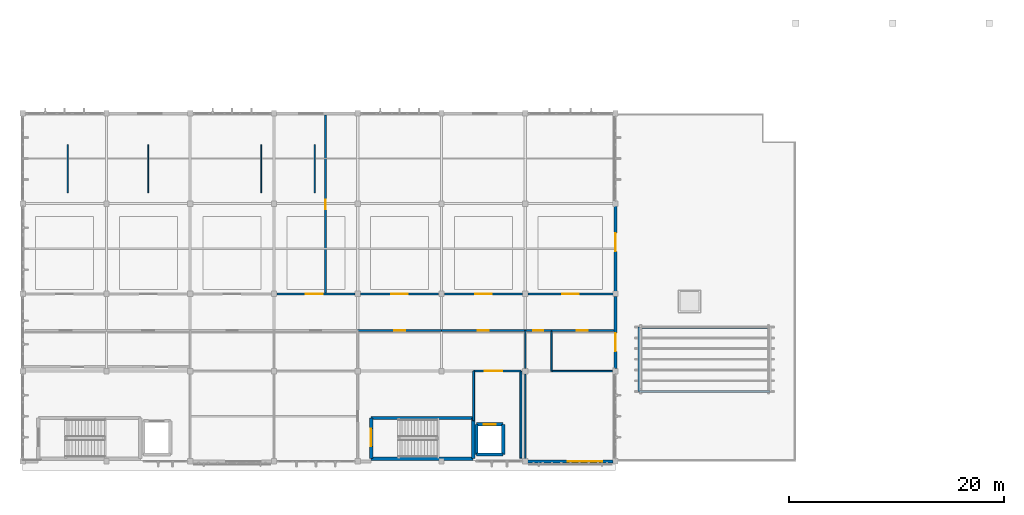
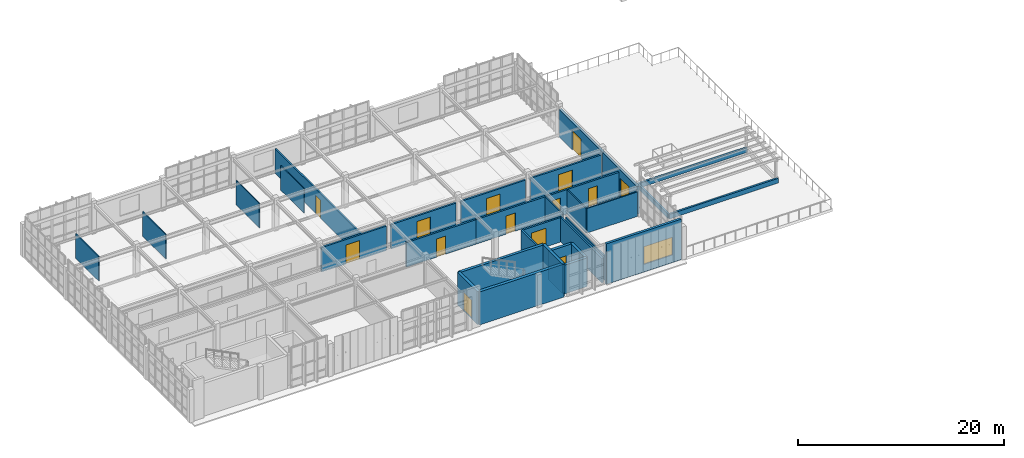
# One storey, part 13 of 20: 34 walls, 14 doors, 1 window, 15 openings.
"""IFC4 building model written with IfcOpenShell, lengths in metres."""

import ifcopenshell
import ifcopenshell.guid

model = None  # the IFC model being written
_history = None  # IfcOwnerHistory: only IFC2X3 demands one
_inside = {}  # id of a spatial element -> (the spatial element, [elements in it])
_under = {}  # id of a project, library or spatial element -> (it, [spatial elements below it])
_declared = {}  # id of a project -> (the project, [libraries it declares])
_typed = {}  # id of a type object -> (the type object, [elements of that type])
_made_of = {}  # id of a material, layer set ... -> (it, [elements and type objects made of it])


def new_model(schema):
    """Start an empty IFC model of exactly this schema.

    Asked for "IFC4X3", IfcOpenShell would pick the latest addendum, in which some entities
    have other attributes; the version numbers below select the first issue.
    IFC2X3 requires an IfcOwnerHistory on every rooted entity: one is made here for all.
    """
    global model, _history
    if schema == "IFC4X3":
        model = ifcopenshell.file(schema_version=(4, 3, 0, 0))
    else:
        model = ifcopenshell.file(schema=schema)
    _inside.clear()
    _under.clear()
    _declared.clear()
    _typed.clear()
    _made_of.clear()
    _history = None
    if model.schema == "IFC2X3":
        org = make("IfcOrganization", Name="unknown")
        user = make(
            "IfcPersonAndOrganization",
            ThePerson=make("IfcPerson", FamilyName="unknown"),
            TheOrganization=org,
        )
        app = make(
            "IfcApplication",
            ApplicationDeveloper=org,
            Version="unknown",
            ApplicationFullName="unknown",
            ApplicationIdentifier="unknown",
        )
        _history = make(
            "IfcOwnerHistory",
            OwningUser=user,
            OwningApplication=app,
            ChangeAction="ADDED",
            CreationDate=0,
        )
    return model


def make(cls, **values):
    """One entity of the class cls with the attributes given. An attribute that is None is left unset."""
    return model.create_entity(
        cls, **{name: value for name, value in values.items() if value is not None}
    )


def rooted(cls, **values):
    """An entity with a GlobalId (a new one), such as an element, a storey or a relation."""
    return make(cls, GlobalId=ifcopenshell.guid.new(), OwnerHistory=_history, **values)


def si_unit(unit_type, name, prefix=None):
    """IfcSIUnit, for example si_unit("LENGTHUNIT", "METRE", prefix="MILLI")."""
    return make("IfcSIUnit", UnitType=unit_type, Prefix=prefix, Name=name)


def assignment(units):
    """IfcUnitAssignment: the units of a project."""
    return None if units is None else make("IfcUnitAssignment", Units=units)


def point(xyz):
    """IfcCartesianPoint."""
    return None if xyz is None else make("IfcCartesianPoint", Coordinates=xyz)


def direction(xyz):
    """IfcDirection."""
    return None if xyz is None else make("IfcDirection", DirectionRatios=xyz)


def frame(location, z_axis=None, x_axis=None):
    """IfcAxis2Placement3D, a coordinate frame: its origin and axes. An axis left out is left unset."""
    return make(
        "IfcAxis2Placement3D",
        Location=point(location),
        Axis=direction(z_axis),
        RefDirection=direction(x_axis),
    )


def frame_2d(location, x_axis=None):
    """IfcAxis2Placement2D, a coordinate frame in the plane: its origin and x axis."""
    return make(
        "IfcAxis2Placement2D", Location=point(location), RefDirection=direction(x_axis)
    )


def origin():
    """The frame at (0, 0, 0) with its axes left unset."""
    return frame((0.0, 0.0, 0.0))


def place(relative_to, where):
    """IfcLocalPlacement: puts the frame where relative to a parent placement (None: the world)."""
    return make(
        "IfcLocalPlacement", PlacementRelTo=relative_to, RelativePlacement=where
    )


def context(
    kind, dimensions, precision=None, world=None, true_north=None, identifier=None
):
    """IfcGeometricRepresentationContext, for example the 3D "Model" context."""
    return make(
        "IfcGeometricRepresentationContext",
        ContextIdentifier=identifier,
        ContextType=kind,
        CoordinateSpaceDimension=dimensions,
        Precision=precision,
        WorldCoordinateSystem=world,
        TrueNorth=true_north,
    )


def subcontext(parent, identifier, kind, view, scale=None):
    """IfcGeometricRepresentationSubContext, for example "Body" below "Model"."""
    return make(
        "IfcGeometricRepresentationSubContext",
        ContextIdentifier=identifier,
        ContextType=kind,
        ParentContext=parent,
        TargetScale=scale,
        TargetView=view,
    )


def project(units=None, contexts=None):
    """IfcProject with its units and contexts."""
    return rooted(
        "IfcProject",
        Name="project",
        RepresentationContexts=contexts,
        UnitsInContext=assignment(units),
    )


def spatial(cls, under=None, at=None, **own):
    """A site, building, storey or space (cls), placed at a placement, below another one or the project."""
    s = rooted(cls, ObjectPlacement=at, **own)
    if under is not None:
        _under.setdefault(under.id(), (under, []))[1].append(s)
    return s


def profile(cls, at=None, kind="AREA", **sizes):
    """A parametric profile (cls). Its sizes go by their IFC names, for example OverallWidth=200.0."""
    return make(cls, ProfileType=kind, Position=at, **sizes)


def rectangle(**sizes):
    """IfcRectangleProfileDef."""
    return profile("IfcRectangleProfileDef", **sizes)


def extrude(swept, where, along, depth):
    """IfcExtrudedAreaSolid: the profile swept, set in the frame where, extruded along a direction by depth."""
    return make(
        "IfcExtrudedAreaSolid",
        SweptArea=swept,
        Position=where,
        ExtrudedDirection=direction(along),
        Depth=depth,
    )


def shape(context_of_items, identifier, shape_type, items):
    """IfcShapeRepresentation: the items that make up one representation, for example the "Body"."""
    return make(
        "IfcShapeRepresentation",
        ContextOfItems=context_of_items,
        RepresentationIdentifier=identifier,
        RepresentationType=shape_type,
        Items=items,
    )


def material(Name=None, Category=None):
    """IfcMaterial."""
    return make("IfcMaterial", Name=Name, Category=Category)


def layer(
    of_material, thickness, ventilated=None, Name=None, Category=None, Priority=None
):
    """IfcMaterialLayer: one layer of a wall or slab, of a material (None: an air gap)."""
    return make(
        "IfcMaterialLayer",
        Material=of_material,
        LayerThickness=thickness,
        IsVentilated=ventilated,
        Name=Name,
        Category=Category,
        Priority=Priority,
    )


def layer_set(layers, Name=None):
    """IfcMaterialLayerSet."""
    return make("IfcMaterialLayerSet", MaterialLayers=layers, LayerSetName=Name)


def made_of(thing, what):
    """Note that an element or type object is made of a material, layer set ...; save() writes the relation."""
    if what is not None:
        _made_of.setdefault(what.id(), (what, []))[1].append(thing)
    return thing


def type_object(cls, material=None, **own):
    """A type object (cls), such as IfcWallType, which elements share."""
    return made_of(rooted(cls, **own), material)


def element(
    cls,
    number,
    at=None,
    inside=None,
    cuts=None,
    type_object=None,
    material=None,
    context=None,
    identifier="Body",
    shape_type=None,
    held_by="IfcProductDefinitionShape",
    body=None,
    shapes=None,
    **own,
):
    """One element of the class cls, such as IfcWall. Its Tag is "e" and its number.

    at: its placement. inside: the storey or other place that contains it. cuts: it is an
    opening in that element (IfcRelVoidsElement). A single representation is given by context,
    identifier, shape_type and body (its items); several are given by shapes. held_by: the class
    of the entity that holds the representations. save() writes the other relations.
    """
    e = rooted(cls, Tag="e%d" % number, ObjectPlacement=at, **own)
    if body is not None:
        shapes = [shape(context, identifier, shape_type, body)]
    if shapes is not None:
        e.Representation = make(held_by, Representations=shapes)
    if inside is not None:
        _inside.setdefault(inside.id(), (inside, []))[1].append(e)
    if cuts is not None:
        rooted(
            "IfcRelVoidsElement", RelatingBuildingElement=cuts, RelatedOpeningElement=e
        )
    if type_object is not None:
        _typed.setdefault(type_object.id(), (type_object, []))[1].append(e)
    return made_of(e, material)


def fill(opening, filler):
    """IfcRelFillsElement: the door or window that sits in an opening."""
    return rooted(
        "IfcRelFillsElement",
        RelatingOpeningElement=opening,
        RelatedBuildingElement=filler,
    )


def aggregate(whole, parts):
    """IfcRelAggregates: a whole, such as a stair, and the parts it consists of."""
    return rooted("IfcRelAggregates", RelatingObject=whole, RelatedObjects=parts)


def save(model, path):
    """Write the relations noted so far, then the file.

    IfcRelAggregates (storeys below a building ...), IfcRelContainedInSpatialStructure (elements
    in a storey), IfcRelDefinesByType, IfcRelAssociatesMaterial and IfcRelDeclares: one each for
    every whole, place, type object, material and project.
    """
    for whole, parts in _under.values():
        aggregate(whole, parts)
    for where, things in _inside.values():
        rooted(
            "IfcRelContainedInSpatialStructure",
            RelatedElements=things,
            RelatingStructure=where,
        )
    for kind, things in _typed.values():
        rooted("IfcRelDefinesByType", RelatedObjects=things, RelatingType=kind)
    for what, things in _made_of.values():
        rooted("IfcRelAssociatesMaterial", RelatedObjects=things, RelatingMaterial=what)
    for by, libraries in _declared.values():
        rooted("IfcRelDeclares", RelatingContext=by, RelatedDefinitions=libraries)
    model.write(path)


model = new_model("IFC4")

# Units and contexts
model_context = context("Model", 3, precision=1e-05, world=origin(), true_north=direction((0.0, 1.0)))
body_context = subcontext(model_context, "Body", "Model", "MODEL_VIEW")
ifc_project = project(units=[si_unit("LENGTHUNIT", "METRE"), si_unit("AREAUNIT", "SQUARE_METRE"), si_unit("VOLUMEUNIT", "CUBIC_METRE"), si_unit("PLANEANGLEUNIT", "RADIAN"), si_unit("MASSUNIT", "GRAM", prefix="KILO")], contexts=[model_context])

# Site, building, storey
site_placement = place(None, origin())
site = spatial("IfcSite", under=ifc_project, at=site_placement, CompositionType="ELEMENT")
building_placement = place(site_placement, origin())
building = spatial("IfcBuilding", under=site, at=building_placement, Name="Tizgana Railside Sports Hall", CompositionType="ELEMENT")
storey_placement = place(building_placement, frame((0.0, 0.0, 19.800048828125)))
storey = spatial("IfcBuildingStorey", under=building, at=storey_placement, Name="L04", CompositionType="ELEMENT", Elevation=19.800048828125)

# Wall
ifc_material_1 = material(Name="Concrete C40/50", Category="concrete")
ifc_layer_1 = layer(ifc_material_1, 0.300048828125, Name="Concrete C40/50")
ifc_layer_set_1 = layer_set([ifc_layer_1], Name="Concrete C40/50")
wall_type_1 = type_object("IfcWallType", Name="Core Shear Wall 300", PredefinedType="SHEAR", material=ifc_layer_set_1)
wall_1_placement = place(storey_placement, frame((40.25, 4.050048828125, 0.0), z_axis=(0.0, 0.0, 1.0), x_axis=(1.0, 0.0, 0.0)))
element("IfcWall", 1, at=wall_1_placement, inside=storey, type_object=wall_type_1, Name="L04 C2 Shaft Wall N", PredefinedType="SHEAR", context=body_context, shape_type="SweptSolid", body=[
    extrude(rectangle(XDim=9.5, YDim=0.300048828125, at=frame_2d((4.75, 0.0))), origin(), (0.0, 0.0, 1.0), 3.89990234375),
])

# Wall, opening, door
wall_2_placement = place(storey_placement, frame((40.25, 0.25, 0.0), z_axis=(0.0, 0.0, 1.0), x_axis=(0.0, 1.0, 0.0)))
wall_2 = element("IfcWall", 2, at=wall_2_placement, inside=storey, type_object=wall_type_1, Name="L04 C2 Shaft Wall W", PredefinedType="SHEAR", context=body_context, shape_type="SweptSolid", body=[
    extrude(rectangle(XDim=3.800048828125, YDim=0.300048828125, at=frame_2d((1.89990234375, 0.0))), origin(), (0.0, 0.0, 1.0), 3.89990234375),
])
opening_1_placement = place(wall_2_placement, frame((1.14990234375, 0.0, 0.0)))
opening_1 = element("IfcOpeningElement", 3, at=opening_1_placement, cuts=wall_2, Name="Opening D-0055", PredefinedType="OPENING", context=body_context, shape_type="SweptSolid", body=[
    extrude(rectangle(XDim=1.64990234375, YDim=2.199951171875, at=frame_2d((0.824951171875, 1.10009765625))), frame((0.0, 0.159912109375, 0.0), z_axis=(0.0, -1.0, 0.0), x_axis=(1.0, 0.0, 0.0)), (0.0, 0.0, 1.0), 0.320068359375),
])
ifc_material_2 = material(Name="Timber fire leaf", Category="wood")
door_type_1 = type_object("IfcDoorType", Name="Stair Core Double Fire Door 1650x2200", OperationType="NOTDEFINED", PredefinedType="DOOR", material=ifc_material_2)
door_1_placement = place(opening_1_placement, origin())
door_1 = element("IfcDoor", 4, at=door_1_placement, inside=storey, type_object=door_type_1, Name="L04 Door D-0055", OperationType="DOUBLE_DOOR_SINGLE_SWING", OverallHeight=2.199951171875, OverallWidth=1.64990234375, PredefinedType="DOOR", context=body_context, shape_type="SweptSolid", body=[
    extrude(rectangle(XDim=1.64990234375, YDim=2.199951171875, at=frame_2d((0.824951171875, 1.10009765625))), frame((0.0, 0.02490234375, 0.0), z_axis=(0.0, -1.0, 0.0), x_axis=(1.0, 0.0, 0.0)), (0.0, 0.0, 1.0), 0.050048828125),
])
fill(opening_1, door_1)

# Walls
wall_3_placement = place(storey_placement, frame((49.75, 0.25, 0.0), z_axis=(0.0, 0.0, 1.0), x_axis=(0.0, 1.0, 0.0)))
element("IfcWall", 5, at=wall_3_placement, inside=storey, type_object=wall_type_1, Name="L04 C2 Shaft Wall E", PredefinedType="SHEAR", context=body_context, shape_type="SweptSolid", body=[
    extrude(rectangle(XDim=3.800048828125, YDim=0.300048828125, at=frame_2d((1.89990234375, 0.0))), origin(), (0.0, 0.0, 1.0), 3.89990234375),
])
wall_4_placement = place(storey_placement, frame((50.050048828125, 0.64990234375, 0.0), z_axis=(0.0, 0.0, 1.0), x_axis=(1.0, 0.0, 0.0)))
element("IfcWall", 6, at=wall_4_placement, inside=storey, type_object=wall_type_1, Name="L04 LP-01 Shaft Wall S", PredefinedType="SHEAR", context=body_context, shape_type="SweptSolid", body=[
    extrude(rectangle(XDim=2.5, YDim=0.300048828125, at=frame_2d((1.25, 0.0))), origin(), (0.0, 0.0, 1.0), 3.39990234375),
])

# Wall, opening, door
wall_5_placement = place(storey_placement, frame((50.050048828125, 3.449951171875, 0.0), z_axis=(0.0, 0.0, 1.0), x_axis=(1.0, 0.0, 0.0)))
wall_5 = element("IfcWall", 7, at=wall_5_placement, inside=storey, type_object=wall_type_1, Name="L04 LP-01 Shaft Wall N", PredefinedType="SHEAR", context=body_context, shape_type="SweptSolid", body=[
    extrude(rectangle(XDim=2.5, YDim=0.300048828125, at=frame_2d((1.25, 0.0))), origin(), (0.0, 0.0, 1.0), 3.39990234375),
])
opening_2_placement = place(wall_5_placement, frame((0.675048828125, 0.0, 0.0)))
opening_2 = element("IfcOpeningElement", 8, at=opening_2_placement, cuts=wall_5, Name="Opening D-0061", PredefinedType="OPENING", context=body_context, shape_type="SweptSolid", body=[
    extrude(rectangle(XDim=1.14990234375, YDim=2.199951171875, at=frame_2d((0.574951171875, 1.10009765625))), frame((0.0, 0.159912109375, 0.0), z_axis=(0.0, -1.0, 0.0), x_axis=(1.0, 0.0, 0.0)), (0.0, 0.0, 1.0), 0.320068359375),
])
ifc_material_3 = material(Name="Brushed stainless steel", Category="steel")
door_type_2 = type_object("IfcDoorType", Name="Passenger Lift Sliding Door 1150x2200", OperationType="NOTDEFINED", PredefinedType="DOOR", material=ifc_material_3)
door_2_placement = place(opening_2_placement, origin())
door_2 = element("IfcDoor", 9, at=door_2_placement, inside=storey, type_object=door_type_2, Name="L04 Door D-0061", OperationType="DOUBLE_DOOR_SLIDING", OverallHeight=2.199951171875, OverallWidth=1.14990234375, PredefinedType="DOOR", context=body_context, shape_type="SweptSolid", body=[
    extrude(rectangle(XDim=1.14990234375, YDim=2.199951171875, at=frame_2d((0.574951171875, 1.10009765625))), frame((0.0, 0.02490234375, 0.0), z_axis=(0.0, -1.0, 0.0), x_axis=(1.0, 0.0, 0.0)), (0.0, 0.0, 1.0), 0.050048828125),
])
fill(opening_2, door_2)

# Walls
for number, where, z_axis, x_axis, name in (
    (10, (50.050048828125, 0.64990234375, 0.0), (0.0, 0.0, 1.0), (0.0, 1.0, 0.0), "L04 LP-01 Shaft Wall W"),
    (11, (52.550048828125, 0.64990234375, 0.0), (0.0, 0.0, 1.0), (0.0, 1.0, 0.0), "L04 LP-01 Shaft Wall E"),
):
    element("IfcWall", number, at=place(storey_placement, frame(where, z_axis=z_axis, x_axis=x_axis)), inside=storey, type_object=wall_type_1, Name=name, PredefinedType="SHEAR", context=body_context, shape_type="SweptSolid", body=[
        extrude(rectangle(XDim=2.800048828125, YDim=0.300048828125, at=frame_2d((1.39990234375, 0.0))), origin(), (0.0, 0.0, 1.0), 3.39990234375),
    ])

# Wall, opening, door
ifc_material_4 = material(Name="Masonry blockwork", Category="masonry")
ifc_layer_2 = layer(ifc_material_4, 0.199951171875, Name="Masonry blockwork")
ifc_layer_set_2 = layer_set([ifc_layer_2], Name="Masonry blockwork")
wall_type_2 = type_object("IfcWallType", Name="Corridor Compartment Partition 200", PredefinedType="STANDARD", material=ifc_layer_set_2)
wall_6_placement = place(storey_placement, frame((31.4599609375, 15.60009765625, 0.0), z_axis=(0.0, 0.0, 1.0), x_axis=(1.0, 0.0, 0.0)))
wall_6 = element("IfcWall", 12, at=wall_6_placement, inside=storey, type_object=wall_type_2, Name="L04 Partition PWAL-0202", PredefinedType="STANDARD", context=body_context, shape_type="SweptSolid", body=[
    extrude(rectangle(XDim=7.280029296875, YDim=0.199951171875, at=frame_2d((3.64013671875, 0.0))), origin(), (0.0, 0.0, 1.0), 2.89990234375),
])
opening_3_placement = place(wall_6_placement, frame((2.715087890625, 0.0, 0.0)))
opening_3 = element("IfcOpeningElement", 13, at=opening_3_placement, cuts=wall_6, Name="Opening D-0217", PredefinedType="OPENING", context=body_context, shape_type="SweptSolid", body=[
    extrude(rectangle(XDim=1.550048828125, YDim=2.25, at=frame_2d((0.77490234375, 1.125))), frame((0.0, 0.10986328125, 0.0), z_axis=(0.0, -1.0, 0.0), x_axis=(1.0, 0.0, 0.0)), (0.0, 0.0, 1.0), 0.219970703125),
])
ifc_material_5 = material(Name="Acoustic perforated timber", Category="wood")
door_type_3 = type_object("IfcDoorType", Name="Studio Acoustic Double Door 1550x2250", OperationType="NOTDEFINED", PredefinedType="DOOR", material=ifc_material_5)
door_3_placement = place(opening_3_placement, origin())
door_3 = element("IfcDoor", 14, at=door_3_placement, inside=storey, type_object=door_type_3, Name="L04 Door D-0217", OperationType="DOUBLE_DOOR_SINGLE_SWING", OverallHeight=2.25, OverallWidth=1.550048828125, PredefinedType="DOOR", context=body_context, shape_type="SweptSolid", body=[
    extrude(rectangle(XDim=1.550048828125, YDim=2.25, at=frame_2d((0.77490234375, 1.125))), frame((0.0, 0.02490234375, 0.0), z_axis=(0.0, -1.0, 0.0), x_axis=(1.0, 0.0, 0.0)), (0.0, 0.0, 1.0), 0.050048828125),
])
fill(opening_3, door_3)

wall_7_placement = place(storey_placement, frame((39.260009765625, 15.60009765625, 0.0), z_axis=(0.0, 0.0, 1.0), x_axis=(1.0, 0.0, 0.0)))
wall_7 = element("IfcWall", 15, at=wall_7_placement, inside=storey, type_object=wall_type_2, Name="L04 Partition PWAL-0204", PredefinedType="STANDARD", context=body_context, shape_type="SweptSolid", body=[
    extrude(rectangle(XDim=7.280029296875, YDim=0.199951171875, at=frame_2d((3.64013671875, 0.0))), origin(), (0.0, 0.0, 1.0), 2.89990234375),
])
opening_4_placement = place(wall_7_placement, frame((2.864990234375, 0.0, 0.0)))
opening_4 = element("IfcOpeningElement", 16, at=opening_4_placement, cuts=wall_7, Name="Opening D-0219", PredefinedType="OPENING", context=body_context, shape_type="SweptSolid", body=[
    extrude(rectangle(XDim=1.550048828125, YDim=2.25, at=frame_2d((0.77490234375, 1.125))), frame((0.0, 0.10986328125, 0.0), z_axis=(0.0, -1.0, 0.0), x_axis=(1.0, 0.0, 0.0)), (0.0, 0.0, 1.0), 0.219970703125),
])
door_4_placement = place(opening_4_placement, origin())
door_4 = element("IfcDoor", 17, at=door_4_placement, inside=storey, type_object=door_type_3, Name="L04 Door D-0219", OperationType="DOUBLE_DOOR_SINGLE_SWING", OverallHeight=2.25, OverallWidth=1.550048828125, PredefinedType="DOOR", context=body_context, shape_type="SweptSolid", body=[
    extrude(rectangle(XDim=1.550048828125, YDim=2.25, at=frame_2d((0.77490234375, 1.125))), frame((0.0, 0.02490234375, 0.0), z_axis=(0.0, -1.0, 0.0), x_axis=(1.0, 0.0, 0.0)), (0.0, 0.0, 1.0), 0.050048828125),
])
fill(opening_4, door_4)

wall_8_placement = place(storey_placement, frame((39.0, 12.199951171875, 0.0), z_axis=(0.0, 0.0, 1.0), x_axis=(1.0, 0.0, 0.0)))
wall_8 = element("IfcWall", 18, at=wall_8_placement, inside=storey, type_object=wall_type_2, Name="L04 Partition PWAL-0205", PredefinedType="STANDARD", context=body_context, shape_type="SweptSolid", body=[
    extrude(rectangle(XDim=7.800048828125, YDim=0.199951171875, at=frame_2d((3.89990234375, 0.0))), origin(), (0.0, 0.0, 1.0), 2.89990234375),
])
opening_5_placement = place(wall_8_placement, frame((3.389892578125, 0.0, 0.0)))
opening_5 = element("IfcOpeningElement", 19, at=opening_5_placement, cuts=wall_8, Name="Opening D-0220", PredefinedType="OPENING", context=body_context, shape_type="SweptSolid", body=[
    extrude(rectangle(XDim=1.02001953125, YDim=2.14990234375, at=frame_2d((0.510009765625, 1.074951171875))), frame((0.0, 0.10986328125, 0.0), z_axis=(0.0, -1.0, 0.0), x_axis=(1.0, 0.0, 0.0)), (0.0, 0.0, 1.0), 0.219970703125),
])
ifc_material_6 = material(Name="Solid beech timber", Category="wood")
door_type_4 = type_object("IfcDoorType", Name="Accessible Changing & WC Door 1020x2150", OperationType="NOTDEFINED", PredefinedType="DOOR", material=ifc_material_6)
door_5_placement = place(opening_5_placement, origin())
door_5 = element("IfcDoor", 20, at=door_5_placement, inside=storey, type_object=door_type_4, Name="L04 Door D-0220", OperationType="SINGLE_SWING_LEFT", OverallHeight=2.14990234375, OverallWidth=1.02001953125, PredefinedType="DOOR", context=body_context, shape_type="SweptSolid", body=[
    extrude(rectangle(XDim=1.02001953125, YDim=2.14990234375, at=frame_2d((0.510009765625, 1.074951171875))), frame((0.0, 0.02490234375, 0.0), z_axis=(0.0, -1.0, 0.0), x_axis=(1.0, 0.0, 0.0)), (0.0, 0.0, 1.0), 0.050048828125),
])
fill(opening_5, door_5)

wall_9_placement = place(storey_placement, frame((47.06005859375, 15.60009765625, 0.0), z_axis=(0.0, 0.0, 1.0), x_axis=(1.0, 0.0, 0.0)))
wall_9 = element("IfcWall", 21, at=wall_9_placement, inside=storey, type_object=wall_type_2, Name="L04 Partition PWAL-0206", PredefinedType="STANDARD", context=body_context, shape_type="SweptSolid", body=[
    extrude(rectangle(XDim=7.280029296875, YDim=0.199951171875, at=frame_2d((3.64013671875, 0.0))), origin(), (0.0, 0.0, 1.0), 2.89990234375),
])
opening_6_placement = place(wall_9_placement, frame((2.864990234375, 0.0, 0.0)))
opening_6 = element("IfcOpeningElement", 22, at=opening_6_placement, cuts=wall_9, Name="Opening D-0221", PredefinedType="OPENING", context=body_context, shape_type="SweptSolid", body=[
    extrude(rectangle(XDim=1.550048828125, YDim=2.25, at=frame_2d((0.77490234375, 1.125))), frame((0.0, 0.10986328125, 0.0), z_axis=(0.0, -1.0, 0.0), x_axis=(1.0, 0.0, 0.0)), (0.0, 0.0, 1.0), 0.219970703125),
])
door_6_placement = place(opening_6_placement, origin())
door_6 = element("IfcDoor", 23, at=door_6_placement, inside=storey, type_object=door_type_3, Name="L04 Door D-0221", OperationType="DOUBLE_DOOR_SINGLE_SWING", OverallHeight=2.25, OverallWidth=1.550048828125, PredefinedType="DOOR", context=body_context, shape_type="SweptSolid", body=[
    extrude(rectangle(XDim=1.550048828125, YDim=2.25, at=frame_2d((0.77490234375, 1.125))), frame((0.0, 0.02490234375, 0.0), z_axis=(0.0, -1.0, 0.0), x_axis=(1.0, 0.0, 0.0)), (0.0, 0.0, 1.0), 0.050048828125),
])
fill(opening_6, door_6)

wall_10_placement = place(storey_placement, frame((46.800048828125, 12.199951171875, 0.0), z_axis=(0.0, 0.0, 1.0), x_axis=(1.0, 0.0, 0.0)))
wall_10 = element("IfcWall", 24, at=wall_10_placement, inside=storey, type_object=wall_type_2, Name="L04 Partition PWAL-0207", PredefinedType="STANDARD", context=body_context, shape_type="SweptSolid", body=[
    extrude(rectangle(XDim=7.800048828125, YDim=0.199951171875, at=frame_2d((3.89990234375, 0.0))), origin(), (0.0, 0.0, 1.0), 2.89990234375),
])
opening_7_placement = place(wall_10_placement, frame((3.389892578125, 0.0, 0.0)))
opening_7 = element("IfcOpeningElement", 25, at=opening_7_placement, cuts=wall_10, Name="Opening D-0222", PredefinedType="OPENING", context=body_context, shape_type="SweptSolid", body=[
    extrude(rectangle(XDim=1.02001953125, YDim=2.14990234375, at=frame_2d((0.510009765625, 1.074951171875))), frame((0.0, 0.10986328125, 0.0), z_axis=(0.0, -1.0, 0.0), x_axis=(1.0, 0.0, 0.0)), (0.0, 0.0, 1.0), 0.219970703125),
])
door_7_placement = place(opening_7_placement, origin())
door_7 = element("IfcDoor", 26, at=door_7_placement, inside=storey, type_object=door_type_4, Name="L04 Door D-0222", OperationType="SINGLE_SWING_RIGHT", OverallHeight=2.14990234375, OverallWidth=1.02001953125, PredefinedType="DOOR", context=body_context, shape_type="SweptSolid", body=[
    extrude(rectangle(XDim=1.02001953125, YDim=2.14990234375, at=frame_2d((0.510009765625, 1.074951171875))), frame((0.0, 0.02490234375, 0.0), z_axis=(0.0, -1.0, 0.0), x_axis=(1.0, 0.0, 0.0)), (0.0, 0.0, 1.0), 0.050048828125),
])
fill(opening_7, door_7)

wall_11_placement = place(storey_placement, frame((54.860107421875, 15.60009765625, 0.0), z_axis=(0.0, 0.0, 1.0), x_axis=(1.0, 0.0, 0.0)))
wall_11 = element("IfcWall", 27, at=wall_11_placement, inside=storey, type_object=wall_type_2, Name="L04 Partition PWAL-0208", PredefinedType="STANDARD", context=body_context, shape_type="SweptSolid", body=[
    extrude(rectangle(XDim=8.0, YDim=0.199951171875, at=frame_2d((4.0, 0.0))), origin(), (0.0, 0.0, 1.0), 2.89990234375),
])
opening_8_placement = place(wall_11_placement, frame((3.1650390625, 0.0, 0.0)))
opening_8 = element("IfcOpeningElement", 28, at=opening_8_placement, cuts=wall_11, Name="Opening D-0223", PredefinedType="OPENING", context=body_context, shape_type="SweptSolid", body=[
    extrude(rectangle(XDim=1.550048828125, YDim=2.25, at=frame_2d((0.77490234375, 1.125))), frame((0.0, 0.10986328125, 0.0), z_axis=(0.0, -1.0, 0.0), x_axis=(1.0, 0.0, 0.0)), (0.0, 0.0, 1.0), 0.219970703125),
])
door_8_placement = place(opening_8_placement, origin())
door_8 = element("IfcDoor", 29, at=door_8_placement, inside=storey, type_object=door_type_3, Name="L04 Door D-0223", OperationType="DOUBLE_DOOR_SINGLE_SWING", OverallHeight=2.25, OverallWidth=1.550048828125, PredefinedType="DOOR", context=body_context, shape_type="SweptSolid", body=[
    extrude(rectangle(XDim=1.550048828125, YDim=2.25, at=frame_2d((0.77490234375, 1.125))), frame((0.0, 0.02490234375, 0.0), z_axis=(0.0, -1.0, 0.0), x_axis=(1.0, 0.0, 0.0)), (0.0, 0.0, 1.0), 0.050048828125),
])
fill(opening_8, door_8)

wall_12_placement = place(storey_placement, frame((54.60009765625, 12.199951171875, 0.0), z_axis=(0.0, 0.0, 1.0), x_axis=(1.0, 0.0, 0.0)))
wall_12 = element("IfcWall", 30, at=wall_12_placement, inside=storey, type_object=wall_type_2, Name="L04 Partition PWAL-0209", PredefinedType="STANDARD", context=body_context, shape_type="SweptSolid", body=[
    extrude(rectangle(XDim=2.449951171875, YDim=0.199951171875, at=frame_2d((1.22509765625, 0.0))), origin(), (0.0, 0.0, 1.0), 2.89990234375),
])
opening_9_placement = place(wall_12_placement, frame((0.764892578125, 0.0, 0.0)))
opening_9 = element("IfcOpeningElement", 31, at=opening_9_placement, cuts=wall_12, Name="Opening D-0224", PredefinedType="OPENING", context=body_context, shape_type="SweptSolid", body=[
    extrude(rectangle(XDim=0.919921875, YDim=2.14990234375, at=frame_2d((0.4599609375, 1.074951171875))), frame((0.0, 0.10986328125, 0.0), z_axis=(0.0, -1.0, 0.0), x_axis=(1.0, 0.0, 0.0)), (0.0, 0.0, 1.0), 0.219970703125),
])
door_type_5 = type_object("IfcDoorType", Name="Consultation & Coaching Door 920x2150", OperationType="NOTDEFINED", PredefinedType="DOOR", material=ifc_material_6)
door_9_placement = place(opening_9_placement, origin())
door_9 = element("IfcDoor", 32, at=door_9_placement, inside=storey, type_object=door_type_5, Name="L04 Door D-0224", OperationType="SINGLE_SWING_LEFT", OverallHeight=2.14990234375, OverallWidth=0.919921875, PredefinedType="DOOR", context=body_context, shape_type="SweptSolid", body=[
    extrude(rectangle(XDim=0.919921875, YDim=2.14990234375, at=frame_2d((0.4599609375, 1.074951171875))), frame((0.0, 0.02490234375, 0.0), z_axis=(0.0, -1.0, 0.0), x_axis=(1.0, 0.0, 0.0)), (0.0, 0.0, 1.0), 0.050048828125),
])
fill(opening_9, door_9)

wall_13_placement = place(storey_placement, frame((57.050048828125, 12.199951171875, 0.0), z_axis=(0.0, 0.0, 1.0), x_axis=(1.0, 0.0, 0.0)))
wall_13 = element("IfcWall", 33, at=wall_13_placement, inside=storey, type_object=wall_type_2, Name="L04 Partition PWAL-0210", PredefinedType="STANDARD", context=body_context, shape_type="SweptSolid", body=[
    extrude(rectangle(XDim=5.81005859375, YDim=0.199951171875, at=frame_2d((2.905029296875, 0.0))), origin(), (0.0, 0.0, 1.0), 2.89990234375),
])
opening_10_placement = place(wall_13_placement, frame((2.364990234375, 0.0, 0.0)))
opening_10 = element("IfcOpeningElement", 34, at=opening_10_placement, cuts=wall_13, Name="Opening D-0225", PredefinedType="OPENING", context=body_context, shape_type="SweptSolid", body=[
    extrude(rectangle(XDim=1.02001953125, YDim=2.14990234375, at=frame_2d((0.510009765625, 1.074951171875))), frame((0.0, 0.10986328125, 0.0), z_axis=(0.0, -1.0, 0.0), x_axis=(1.0, 0.0, 0.0)), (0.0, 0.0, 1.0), 0.219970703125),
])
door_10_placement = place(opening_10_placement, origin())
door_10 = element("IfcDoor", 35, at=door_10_placement, inside=storey, type_object=door_type_4, Name="L04 Door D-0225", OperationType="SINGLE_SWING_RIGHT", OverallHeight=2.14990234375, OverallWidth=1.02001953125, PredefinedType="DOOR", context=body_context, shape_type="SweptSolid", body=[
    extrude(rectangle(XDim=1.02001953125, YDim=2.14990234375, at=frame_2d((0.510009765625, 1.074951171875))), frame((0.0, 0.02490234375, 0.0), z_axis=(0.0, -1.0, 0.0), x_axis=(1.0, 0.0, 0.0)), (0.0, 0.0, 1.0), 0.050048828125),
])
fill(opening_10, door_10)

# Wall
ifc_material_7 = material(Name="Concrete C35/45", Category="concrete")
ifc_layer_3 = layer(ifc_material_7, 0.340087890625, Name="Concrete C35/45")
ifc_layer_set_3 = layer_set([ifc_layer_3], Name="Concrete C35/45")
wall_type_3 = type_object("IfcWallType", Name="Exterior Insulated Concrete Wall 340", PredefinedType="STANDARD", material=ifc_layer_set_3)
wall_14_placement = place(storey_placement, frame((49.75, 0.25, 0.0), z_axis=(0.0, 0.0, 1.0), x_axis=(-1.0, 0.0, 0.0)))
element("IfcWall", 36, at=wall_14_placement, inside=storey, type_object=wall_type_3, Name="L04 C2 Shaft Wall S", PredefinedType="STANDARD", context=body_context, shape_type="SweptSolid", body=[
    extrude(rectangle(XDim=9.5, YDim=0.340087890625, at=frame_2d((4.75, 0.0))), origin(), (0.0, 0.0, 1.0), 3.89990234375),
])

# Wall, opening, window
ifc_material_8 = material(Name="Precast concrete C40/50", Category="concrete")
ifc_layer_4 = layer(ifc_material_8, 0.27001953125, Name="Precast concrete C40/50")
ifc_layer_set_4 = layer_set([ifc_layer_4], Name="Precast concrete C40/50")
wall_type_4 = type_object("IfcWallType", Name="Exterior Studio Facade Wall 270", PredefinedType="STANDARD", material=ifc_layer_set_4)
wall_15_placement = place(storey_placement, frame((62.760009765625, 0.0, 0.0), z_axis=(0.0, 0.0, 1.0), x_axis=(-1.0, 0.0, 0.0)))
wall_15 = element("IfcWall", 37, at=wall_15_placement, inside=storey, type_object=wall_type_4, Name="L04 Exterior Wall EWAL-0124", PredefinedType="STANDARD", context=body_context, shape_type="SweptSolid", body=[
    extrude(rectangle(XDim=8.39990234375, YDim=0.27001953125, at=frame_2d((4.199951171875, 0.0))), origin(), (0.0, 0.0, 1.0), 4.800048828125),
])
opening_11_placement = place(wall_15_placement, frame((1.010009765625, 0.0, 0.89990234375)))
opening_11 = element("IfcOpeningElement", 38, at=opening_11_placement, cuts=wall_15, Name="Opening W-0090", PredefinedType="OPENING", context=body_context, shape_type="SweptSolid", body=[
    extrude(rectangle(XDim=3.199951171875, YDim=2.10009765625, at=frame_2d((1.60009765625, 1.050048828125))), frame((0.0, 0.14501953125, 0.0), z_axis=(0.0, -1.0, 0.0), x_axis=(1.0, 0.0, 0.0)), (0.0, 0.0, 1.0), 0.2900390625),
])
ifc_material_9 = material(Name="Double low-E laminated glass", Category="glass")
window_type = type_object("IfcWindowType", Name="Studio Wide Window 3200x2100", PartitioningType="SINGLE_PANEL", PredefinedType="WINDOW", material=ifc_material_9)
window_placement = place(opening_11_placement, origin())
window = element("IfcWindow", 39, at=window_placement, inside=storey, type_object=window_type, Name="L04 Window W-0090", OverallHeight=2.10009765625, OverallWidth=3.199951171875, PartitioningType="SINGLE_PANEL", PredefinedType="WINDOW", context=body_context, shape_type="SweptSolid", body=[
    extrude(rectangle(XDim=3.199951171875, YDim=2.10009765625, at=frame_2d((1.60009765625, 1.050048828125))), frame((0.0, 0.030029296875, 0.0), z_axis=(0.0, -1.0, 0.0), x_axis=(1.0, 0.0, 0.0)), (0.0, 0.0, 1.0), 0.06005859375),
])
fill(opening_11, window)

# Wall, opening, door
wall_16_placement = place(storey_placement, frame((63.0, 15.360107421875, 0.0), z_axis=(0.0, 0.0, 1.0), x_axis=(0.0, -1.0, 0.0)))
wall_16 = element("IfcWall", 40, at=wall_16_placement, inside=storey, type_object=wall_type_4, Name="L04 Exterior Wall EWAL-0128", PredefinedType="STANDARD", context=body_context, shape_type="SweptSolid", body=[
    extrude(rectangle(XDim=6.72021484375, YDim=0.27001953125, at=frame_2d((3.360107421875, 0.0))), origin(), (0.0, 0.0, 1.0), 3.284912109375),
])
opening_12_placement = place(wall_16_placement, frame((3.409912109375, 0.0, 0.0)))
opening_12 = element("IfcOpeningElement", 41, at=opening_12_placement, cuts=wall_16, Name="Opening D-0029", PredefinedType="OPENING", context=body_context, shape_type="SweptSolid", body=[
    extrude(rectangle(XDim=1.699951171875, YDim=2.300048828125, at=frame_2d((0.85009765625, 1.14990234375))), frame((0.0, 0.14501953125, 0.0), z_axis=(0.0, -1.0, 0.0), x_axis=(1.0, 0.0, 0.0)), (0.0, 0.0, 1.0), 0.2900390625),
])
ifc_material_10 = material(Name="Anodised aluminium and glass", Category="aluminium")
door_type_6 = type_object("IfcDoorType", Name="Planted Terrace Double Door 1700x2300", OperationType="NOTDEFINED", PredefinedType="DOOR", material=ifc_material_10)
door_11_placement = place(opening_12_placement, origin())
door_11 = element("IfcDoor", 42, at=door_11_placement, inside=storey, type_object=door_type_6, Name="L04 Door D-0029", OperationType="DOUBLE_DOOR_SINGLE_SWING", OverallHeight=2.300048828125, OverallWidth=1.699951171875, PredefinedType="DOOR", context=body_context, shape_type="SweptSolid", body=[
    extrude(rectangle(XDim=1.699951171875, YDim=2.300048828125, at=frame_2d((0.85009765625, 1.14990234375))), frame((0.0, 0.02490234375, 0.0), z_axis=(0.0, -1.0, 0.0), x_axis=(1.0, 0.0, 0.0)), (0.0, 0.0, 1.0), 0.050048828125),
])
fill(opening_12, door_11)

wall_17_placement = place(storey_placement, frame((63.0, 23.760009765625, 0.0), z_axis=(0.0, 0.0, 1.0), x_axis=(0.0, -1.0, 0.0)))
wall_17 = element("IfcWall", 43, at=wall_17_placement, inside=storey, type_object=wall_type_4, Name="L04 Exterior Wall EWAL-0129", PredefinedType="STANDARD", context=body_context, shape_type="SweptSolid", body=[
    extrude(rectangle(XDim=8.39501953125, YDim=0.27001953125, at=frame_2d((4.197509765625, 0.0))), origin(), (0.0, 0.0, 1.0), 3.284912109375),
])
opening_13_placement = place(wall_17_placement, frame((2.510009765625, 0.0, 0.0)))
opening_13 = element("IfcOpeningElement", 44, at=opening_13_placement, cuts=wall_17, Name="Opening D-0030", PredefinedType="OPENING", context=body_context, shape_type="SweptSolid", body=[
    extrude(rectangle(XDim=1.699951171875, YDim=2.300048828125, at=frame_2d((0.85009765625, 1.14990234375))), frame((0.0, 0.14501953125, 0.0), z_axis=(0.0, -1.0, 0.0), x_axis=(1.0, 0.0, 0.0)), (0.0, 0.0, 1.0), 0.2900390625),
])
door_12_placement = place(opening_13_placement, origin())
door_12 = element("IfcDoor", 45, at=door_12_placement, inside=storey, type_object=door_type_6, Name="L04 Door D-0030", OperationType="DOUBLE_DOOR_SINGLE_SWING", OverallHeight=2.300048828125, OverallWidth=1.699951171875, PredefinedType="DOOR", context=body_context, shape_type="SweptSolid", body=[
    extrude(rectangle(XDim=1.699951171875, YDim=2.300048828125, at=frame_2d((0.85009765625, 1.14990234375))), frame((0.0, 0.02490234375, 0.0), z_axis=(0.0, -1.0, 0.0), x_axis=(1.0, 0.0, 0.0)), (0.0, 0.0, 1.0), 0.050048828125),
])
fill(opening_13, door_12)

# Walls
ifc_material_11 = material(Name="Acoustic gypsum stud")
ifc_layer_5 = layer(ifc_material_11, 0.1298828125, Name="Acoustic gypsum stud")
ifc_layer_set_5 = layer_set([ifc_layer_5], Name="Acoustic gypsum stud")
wall_type_5 = type_object("IfcWallType", Name="General Interior Partition 130", PredefinedType="STANDARD", material=ifc_layer_set_5)
wall_18_placement = place(storey_placement, frame((54.60009765625, 0.139892578125, 0.0), z_axis=(0.0, 0.0, 1.0), x_axis=(0.0, 1.0, 0.0)))
element("IfcWall", 46, at=wall_18_placement, inside=storey, type_object=wall_type_5, Name="L04 Partition PWAL-0218", PredefinedType="STANDARD", context=body_context, shape_type="SweptSolid", body=[
    extrude(rectangle(XDim=8.0, YDim=0.1298828125, at=frame_2d((4.0, 0.0))), origin(), (0.0, 0.0, 1.0), 2.89990234375),
])
wall_19_placement = place(storey_placement, frame((54.60009765625, 8.659912109375, 0.0), z_axis=(0.0, 0.0, 1.0), x_axis=(0.0, 1.0, 0.0)))
element("IfcWall", 47, at=wall_19_placement, inside=storey, type_object=wall_type_5, Name="L04 Partition PWAL-0219", PredefinedType="STANDARD", context=body_context, shape_type="SweptSolid", body=[
    extrude(rectangle(XDim=3.5400390625, YDim=0.1298828125, at=frame_2d((1.77001953125, 0.0))), origin(), (0.0, 0.0, 1.0), 2.89990234375),
])
wall_20_placement = place(storey_placement, frame((57.050048828125, 8.39990234375, 0.0), z_axis=(0.0, 0.0, 1.0), x_axis=(0.0, 1.0, 0.0)))
element("IfcWall", 48, at=wall_20_placement, inside=storey, type_object=wall_type_5, Name="L04 Partition PWAL-0220", PredefinedType="STANDARD", context=body_context, shape_type="SweptSolid", body=[
    extrude(rectangle(XDim=3.7001953125, YDim=0.1298828125, at=frame_2d((1.85009765625, 0.0))), origin(), (0.0, 0.0, 1.0), 2.89990234375),
])
wall_21_placement = place(storey_placement, frame((57.050048828125, 8.39990234375, 0.0), z_axis=(0.0, 0.0, 1.0), x_axis=(1.0, 0.0, 0.0)))
element("IfcWall", 49, at=wall_21_placement, inside=storey, type_object=wall_type_5, Name="L04 Partition PWAL-0223", PredefinedType="STANDARD", context=body_context, shape_type="SweptSolid", body=[
    extrude(rectangle(XDim=5.68994140625, YDim=0.1298828125, at=frame_2d((2.844970703125, 0.0))), origin(), (0.0, 0.0, 1.0), 2.89990234375),
])
ifc_layer_6 = layer(ifc_material_11, 0.10009765625, Name="Acoustic gypsum stud")
ifc_layer_set_6 = layer_set([ifc_layer_6], Name="Acoustic gypsum stud")
wall_type_6 = type_object("IfcWallType", Name="Locker Alcove Partition 100", PredefinedType="STANDARD", material=ifc_layer_set_6)
for number, where, z_axis, x_axis, name in (
    (50, (12.0, 25.0, 0.0), (0.0, 0.0, 1.0), (0.0, 1.0, 0.0), "L04 Partition PWAL-0224"),
    (51, (19.5, 25.0, 0.0), (0.0, 0.0, 1.0), (0.0, 1.0, 0.0), "L04 Partition PWAL-0225"),
    (52, (30.0, 25.0, 0.0), (0.0, 0.0, 1.0), (0.0, 1.0, 0.0), "L04 Partition PWAL-0226"),
    (53, (35.0, 25.0, 0.0), (0.0, 0.0, 1.0), (0.0, 1.0, 0.0), "L04 Partition PWAL-0227"),
):
    element("IfcWall", number, at=place(storey_placement, frame(where, z_axis=z_axis, x_axis=x_axis)), inside=storey, type_object=wall_type_6, Name=name, PredefinedType="STANDARD", context=body_context, shape_type="SweptSolid", body=[
        extrude(rectangle(XDim=4.5, YDim=0.10009765625, at=frame_2d((2.25, 0.0))), origin(), (0.0, 0.0, 1.0), 2.89990234375),
    ])
ifc_layer_7 = layer(ifc_material_4, 0.179931640625, Name="Masonry blockwork")
ifc_layer_set_7 = layer_set([ifc_layer_7], Name="Masonry blockwork")
wall_type_7 = type_object("IfcWallType", Name="Riser and Shaft Wall 180", PredefinedType="STANDARD", material=ifc_layer_set_7)
wall_22_placement = place(storey_placement, frame((49.800048828125, 3.800048828125, 0.0), z_axis=(0.0, 0.0, 1.0), x_axis=(0.0, 1.0, 0.0)))
element("IfcWall", 54, at=wall_22_placement, inside=storey, type_object=wall_type_7, Name="L04 Partition PWAL-0377", PredefinedType="STANDARD", context=body_context, shape_type="SweptSolid", body=[
    extrude(rectangle(XDim=4.599853515625, YDim=0.179931640625, at=frame_2d((2.2998046875, 0.0))), origin(), (0.0, 0.0, 1.0), 2.89990234375),
])

# Wall, opening, door
wall_23_placement = place(storey_placement, frame((49.800048828125, 8.39990234375, 0.0), z_axis=(0.0, 0.0, 1.0), x_axis=(1.0, 0.0, 0.0)))
wall_23 = element("IfcWall", 55, at=wall_23_placement, inside=storey, type_object=wall_type_7, Name="L04 Partition PWAL-0378", PredefinedType="STANDARD", context=body_context, shape_type="SweptSolid", body=[
    extrude(rectangle(XDim=4.39990234375, YDim=0.179931640625, at=frame_2d((2.199951171875, 0.0))), origin(), (0.0, 0.0, 1.0), 2.89990234375),
])
opening_14_placement = place(wall_23_placement, frame((1.02490234375, 0.0, 0.0)))
opening_14 = element("IfcOpeningElement", 56, at=opening_14_placement, cuts=wall_23, Name="Opening D-0324", PredefinedType="OPENING", context=body_context, shape_type="SweptSolid", body=[
    extrude(rectangle(XDim=1.64990234375, YDim=2.199951171875, at=frame_2d((0.824951171875, 1.10009765625))), frame((0.0, 0.099853515625, 0.0), z_axis=(0.0, -1.0, 0.0), x_axis=(1.0, 0.0, 0.0)), (0.0, 0.0, 1.0), 0.199951171875),
])
door_13_placement = place(opening_14_placement, origin())
door_13 = element("IfcDoor", 57, at=door_13_placement, inside=storey, type_object=door_type_1, Name="L04 Door D-0324", OperationType="DOUBLE_DOOR_SINGLE_SWING", OverallHeight=2.199951171875, OverallWidth=1.64990234375, PredefinedType="DOOR", context=body_context, shape_type="SweptSolid", body=[
    extrude(rectangle(XDim=1.64990234375, YDim=2.199951171875, at=frame_2d((0.824951171875, 1.10009765625))), frame((0.0, 0.02490234375, 0.0), z_axis=(0.0, -1.0, 0.0), x_axis=(1.0, 0.0, 0.0)), (0.0, 0.0, 1.0), 0.050048828125),
])
fill(opening_14, door_13)

# Walls
wall_24_placement = place(storey_placement, frame((54.199951171875, 0.300048828125, 0.0), z_axis=(0.0, 0.0, 1.0), x_axis=(0.0, 1.0, 0.0)))
element("IfcWall", 58, at=wall_24_placement, inside=storey, type_object=wall_type_7, Name="L04 Partition PWAL-0379", PredefinedType="STANDARD", context=body_context, shape_type="SweptSolid", body=[
    extrude(rectangle(XDim=8.099853515625, YDim=0.179931640625, at=frame_2d((4.0498046875, 0.0))), origin(), (0.0, 0.0, 1.0), 2.89990234375),
])
ifc_layer_8 = layer(ifc_material_7, 0.2099609375, Name="Concrete C35/45")
ifc_layer_set_8 = layer_set([ifc_layer_8], Name="Concrete C35/45")
wall_type_8 = type_object("IfcWallType", Name="Roof Parapet Upstand 210", PredefinedType="PARAPET", material=ifc_layer_set_8)
for number, where, z_axis, x_axis, name in (
    (59, (65.199951171875, 6.5, 0.0), (0.0, 0.0, 1.0), (1.0, 0.0, 0.0), "L04 Roof Garden Planter Kerb"),
    (60, (77.39990234375, 12.5, 0.0), (0.0, 0.0, 1.0), (-1.0, 0.0, 0.0), "L04 Roof Garden Planter Kerb"),
):
    element("IfcWall", number, at=place(storey_placement, frame(where, z_axis=z_axis, x_axis=x_axis)), inside=storey, type_object=wall_type_8, Name=name, PredefinedType="PARAPET", context=body_context, shape_type="SweptSolid", body=[
        extrude(rectangle(XDim=12.199951171875, YDim=0.2099609375, at=frame_2d((6.10009765625, 0.0))), origin(), (0.0, 0.0, 1.0), 0.550048828125),
    ])
wall_25_placement = place(storey_placement, frame((65.199951171875, 12.5, 0.0), z_axis=(0.0, 0.0, 1.0), x_axis=(0.0, -1.0, 0.0)))
element("IfcWall", 61, at=wall_25_placement, inside=storey, type_object=wall_type_8, Name="L04 Roof Garden Planter Kerb", PredefinedType="PARAPET", context=body_context, shape_type="SweptSolid", body=[
    extrude(rectangle(XDim=6.0, YDim=0.2099609375, at=frame_2d((3.0, 0.0))), origin(), (0.0, 0.0, 1.0), 0.550048828125),
])

# Wall, opening, door
ifc_layer_9 = layer(ifc_material_11, 0.169921875, Name="Acoustic gypsum stud")
ifc_layer_set_9 = layer_set([ifc_layer_9], Name="Acoustic gypsum stud")
wall_type_9 = type_object("IfcWallType", Name="Studio Acoustic Partition 170", PredefinedType="STANDARD", material=ifc_layer_set_9)
wall_26_placement = place(storey_placement, frame((36.0, 15.60009765625, 0.0), z_axis=(0.0, 0.0, 1.0), x_axis=(0.0, 1.0, 0.0)))
wall_26 = element("IfcWall", 62, at=wall_26_placement, inside=storey, type_object=wall_type_9, Name="L04 Partition PWAL-0211", PredefinedType="STANDARD", context=body_context, shape_type="SweptSolid", body=[
    extrude(rectangle(XDim=16.659912109375, YDim=0.169921875, at=frame_2d((8.330078125, 0.0))), origin(), (0.0, 0.0, 1.0), 2.89990234375),
])
opening_15_placement = place(wall_26_placement, frame((7.864990234375, 0.0, 0.0)))
opening_15 = element("IfcOpeningElement", 63, at=opening_15_placement, cuts=wall_26, Name="Opening D-0226", PredefinedType="OPENING", context=body_context, shape_type="SweptSolid", body=[
    extrude(rectangle(XDim=0.919921875, YDim=2.14990234375, at=frame_2d((0.4599609375, 1.074951171875))), frame((0.0, 0.094970703125, 0.0), z_axis=(0.0, -1.0, 0.0), x_axis=(1.0, 0.0, 0.0)), (0.0, 0.0, 1.0), 0.18994140625),
])
door_14_placement = place(opening_15_placement, origin())
door_14 = element("IfcDoor", 64, at=door_14_placement, inside=storey, type_object=door_type_5, Name="L04 Door D-0226", OperationType="SINGLE_SWING_LEFT", OverallHeight=2.14990234375, OverallWidth=0.919921875, PredefinedType="DOOR", context=body_context, shape_type="SweptSolid", body=[
    extrude(rectangle(XDim=0.919921875, YDim=2.14990234375, at=frame_2d((0.4599609375, 1.074951171875))), frame((0.0, 0.02490234375, 0.0), z_axis=(0.0, -1.0, 0.0), x_axis=(1.0, 0.0, 0.0)), (0.0, 0.0, 1.0), 0.050048828125),
])
fill(opening_15, door_14)

save(model, "model.ifc")
